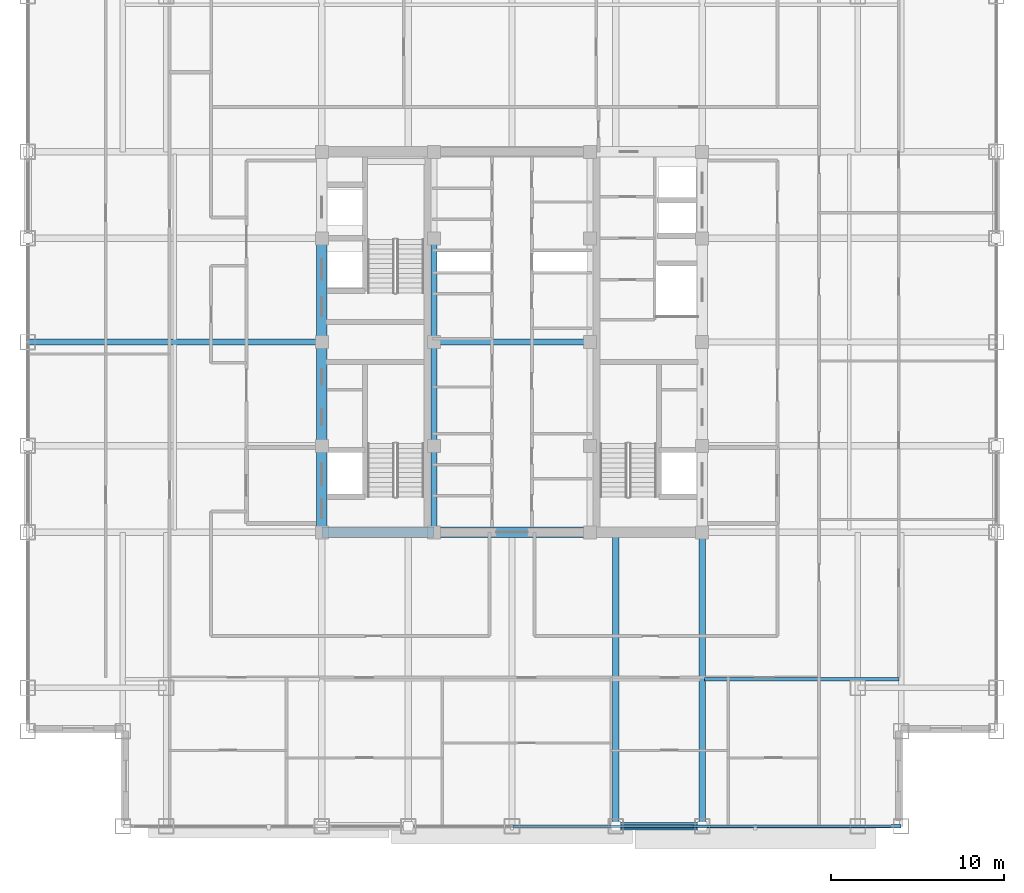
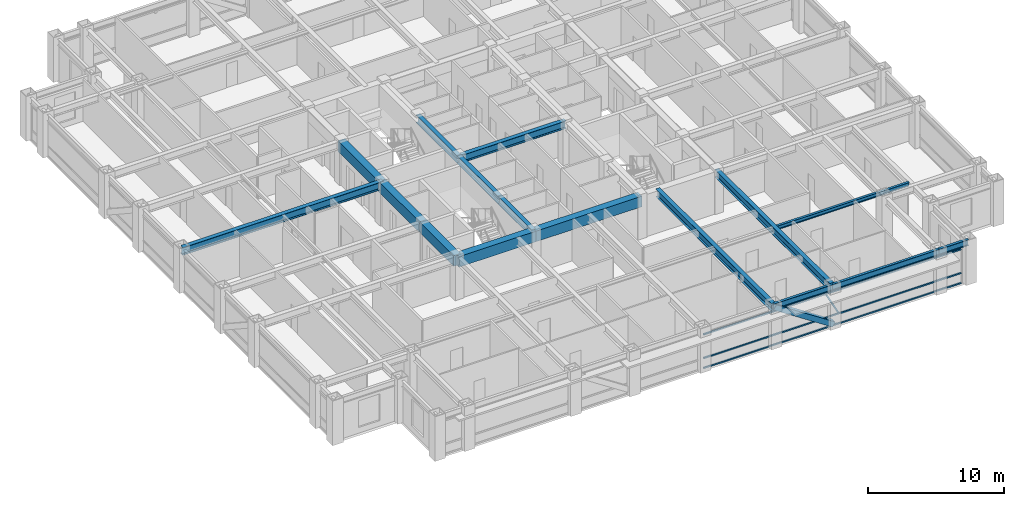
# One storey, part 7 of 29: 16 beams, 5 members, 1 element without a shape of its own.
"""IFC4 building model written with IfcOpenShell, lengths in metres."""

from ifc_helpers import new_model, si_unit, direction, frame, origin, origin_2d, place, context, subcontext, project, spatial, rectangle, hollow_rectangle, i_section, extrude, source, transform, mapped, material, material_profile, profile_set, type_object, element, aggregate, save


model = new_model("IFC4")

# Units and contexts
model_context = context("Model", 3, precision=1e-05, world=origin(), true_north=direction((0.0, 1.0)))
body_context = subcontext(model_context, "Body", "Model", "MODEL_VIEW")
ifc_project = project(units=[si_unit("LENGTHUNIT", "METRE"), si_unit("AREAUNIT", "SQUARE_METRE"), si_unit("VOLUMEUNIT", "CUBIC_METRE"), si_unit("PLANEANGLEUNIT", "RADIAN"), si_unit("MASSUNIT", "GRAM", prefix="KILO")], contexts=[model_context])

# Site, building, storey
site_placement = place(None, origin())
site = spatial("IfcSite", under=ifc_project, at=site_placement, CompositionType="ELEMENT")
building_placement = place(site_placement, origin())
building = spatial("IfcBuilding", under=site, at=building_placement, Name="Khorayat Bourse Tower", CompositionType="ELEMENT")
storey_placement = place(building_placement, frame((0.0, 0.0, 277.5)))
storey = spatial("IfcBuildingStorey", under=building, at=storey_placement, Name="L65", CompositionType="ELEMENT", Elevation=277.5)

# Beams
ifc_material_1 = material(Name="Steel ASTM A992 Grade 50", Category="steel")
ifc_material_profile_1 = material_profile(ifc_material_1, i_section(OverallWidth=0.35498046875, OverallDepth=0.695068359375, WebThickness=0.015380859375, FlangeThickness=0.02490234375, FilletRadius=0.01806640625, at=origin_2d()), Name="W690X217")
ifc_profile_set_1 = profile_set([ifc_material_profile_1], Name="Steel ASTM A992 Grade 50")
beam_type_1 = type_object("IfcBeamType", Name="BM-GIRD-690", PredefinedType="BEAM", material=ifc_profile_set_1)
shared_shape_1 = source(origin(), body_context, "Body", "SweptSolid", [
    extrude(i_section(OverallWidth=0.35498046875, OverallDepth=0.695068359375, WebThickness=0.015380859375, FlangeThickness=0.02490234375, FilletRadius=0.01806640625, at=origin_2d()), origin(), (0.0, 0.0, 1.0), 5.0),
])
beam_1_placement = place(storey_placement, frame((-4.5, -11.0, 3.4326171875), z_axis=(0.0, 1.0, 0.0), x_axis=(-1.0, 0.0, 0.0)))
element("IfcBeam", 1, at=beam_1_placement, inside=storey, type_object=beam_type_1, Name="L65 BM-GIRD-690 BM-L65-CRX-05", PredefinedType="BEAM", context=body_context, shape_type="MappedRepresentation", body=[
    mapped(shared_shape_1, transform((0.0, 0.0, 0.0), scale=1.0)),
])
shared_shape_2 = source(origin(), body_context, "Body", "SweptSolid", [
    extrude(i_section(OverallWidth=0.35498046875, OverallDepth=0.695068359375, WebThickness=0.015380859375, FlangeThickness=0.02490234375, FilletRadius=0.01806640625, at=origin_2d()), origin(), (0.0, 0.0, 1.0), 6.0),
])
for number, where, z_axis, x_axis, name in (
    (2, (-4.5, -6.0, 3.4326171875), (0.0, 1.0, 0.0), (-1.0, 0.0, 0.0), "L65 BM-GIRD-690 BM-L65-CRX-06"),
    (3, (-4.5, 0.0, 3.4326171875), (0.0, 1.0, 0.0), (-1.0, 0.0, 0.0), "L65 BM-GIRD-690 BM-L65-CRX-07"),
):
    element("IfcBeam", number, at=place(storey_placement, frame(where, z_axis=z_axis, x_axis=x_axis)), inside=storey, type_object=beam_type_1, Name=name, PredefinedType="BEAM", context=body_context, shape_type="MappedRepresentation", body=[
        mapped(shared_shape_2, transform((0.0, 0.0, 0.0), scale=1.0)),
    ])
shared_shape_3 = source(origin(), body_context, "Body", "SweptSolid", [
    extrude(i_section(OverallWidth=0.35498046875, OverallDepth=0.695068359375, WebThickness=0.015380859375, FlangeThickness=0.02490234375, FilletRadius=0.01806640625, at=origin_2d()), origin(), (0.0, 0.0, 1.0), 9.0),
])
beam_2_placement = place(storey_placement, frame((-4.5, 0.0, 3.4326171875), z_axis=(1.0, 0.0, 0.0), x_axis=(0.0, 1.0, 0.0)))
element("IfcBeam", 4, at=beam_2_placement, inside=storey, type_object=beam_type_1, Name="L65 BM-GIRD-690 BM-L65-CRY-23", PredefinedType="BEAM", context=body_context, shape_type="MappedRepresentation", body=[
    mapped(shared_shape_3, transform((0.0, 0.0, 0.0), scale=1.0)),
])
ifc_material_2 = material(Name="Concrete C60/75", Category="concrete")
ifc_material_profile_2 = material_profile(ifc_material_2, rectangle(XDim=0.60009765625, YDim=0.949951171875, at=origin_2d()), Name="RC 600x950")
ifc_profile_set_2 = profile_set([ifc_material_profile_2], Name="Concrete C60/75")
beam_type_2 = type_object("IfcBeamType", Name="BM-COUP-950", PredefinedType="BEAM", material=ifc_profile_set_2)
shared_shape_4 = source(origin(), body_context, "Body", "SweptSolid", [
    extrude(rectangle(XDim=0.60009765625, YDim=0.949951171875, at=origin_2d()), origin(), (0.0, 0.0, 1.0), 5.0),
])
beam_3_placement = place(storey_placement, frame((-11.0, -11.0, 3.304931640625), z_axis=(0.0, 1.0, 0.0), x_axis=(-1.0, 0.0, 0.0)))
element("IfcBeam", 5, at=beam_3_placement, inside=storey, type_object=beam_type_2, Name="L65 BM-COUP-950 BM-L65-CRX-01", PredefinedType="BEAM", context=body_context, shape_type="MappedRepresentation", body=[
    mapped(shared_shape_4, transform((0.0, 0.0, 0.0), scale=1.0)),
])
shared_shape_5 = source(origin(), body_context, "Body", "SweptSolid", [
    extrude(rectangle(XDim=0.60009765625, YDim=0.949951171875, at=origin_2d()), origin(), (0.0, 0.0, 1.0), 6.0),
])
for number, where, z_axis, x_axis, name in (
    (6, (-11.0, -6.0, 3.304931640625), (0.0, 1.0, 0.0), (-1.0, 0.0, 0.0), "L65 BM-COUP-950 BM-L65-CRX-02"),
    (7, (-11.0, 0.0, 3.304931640625), (0.0, 1.0, 0.0), (-1.0, 0.0, 0.0), "L65 BM-COUP-950 BM-L65-CRX-03"),
):
    element("IfcBeam", number, at=place(storey_placement, frame(where, z_axis=z_axis, x_axis=x_axis)), inside=storey, type_object=beam_type_2, Name=name, PredefinedType="BEAM", context=body_context, shape_type="MappedRepresentation", body=[
        mapped(shared_shape_5, transform((0.0, 0.0, 0.0), scale=1.0)),
    ])
shared_shape_6 = source(origin(), body_context, "Body", "SweptSolid", [
    extrude(rectangle(XDim=0.60009765625, YDim=0.949951171875, at=origin_2d()), origin(), (0.0, 0.0, 1.0), 6.5),
])
beam_4_placement = place(storey_placement, frame((-11.0, -11.0, 3.304931640625), z_axis=(1.0, 0.0, 0.0), x_axis=(0.0, 1.0, 0.0)))
element("IfcBeam", 8, at=beam_4_placement, inside=storey, type_object=beam_type_2, Name="L65 BM-COUP-950 BM-L65-CRY-17", PredefinedType="BEAM", context=body_context, shape_type="MappedRepresentation", body=[
    mapped(shared_shape_6, transform((0.0, 0.0, 0.0), scale=1.0)),
])
shared_shape_7 = source(origin(), body_context, "Body", "SweptSolid", [
    extrude(rectangle(XDim=0.60009765625, YDim=0.949951171875, at=origin_2d()), origin(), (0.0, 0.0, 1.0), 9.0),
])
beam_5_placement = place(storey_placement, frame((-4.5, -11.0, 3.304931640625), z_axis=(1.0, 0.0, 0.0), x_axis=(0.0, 1.0, 0.0)))
element("IfcBeam", 9, at=beam_5_placement, inside=storey, type_object=beam_type_2, Name="L65 BM-COUP-950 BM-L65-CRY-18", PredefinedType="BEAM", context=body_context, shape_type="MappedRepresentation", body=[
    mapped(shared_shape_7, transform((0.0, 0.0, 0.0), scale=1.0)),
])

# Member
ifc_material_3 = material(Name="Steel EN 10025-4 S460M", Category="steel")
ifc_material_profile_3 = material_profile(ifc_material_3, hollow_rectangle(XDim=0.449951171875, YDim=0.449951171875, WallThickness=0.02490234375, at=origin_2d()), Name="HSS 450x450x25")
ifc_profile_set_3 = profile_set([ifc_material_profile_3], Name="Steel EN 10025-4 S460M")
member_type_1 = type_object("IfcMemberType", Name="MBR-TUBE-450", PredefinedType="BRACE", material=ifc_profile_set_3)
shared_shape_8 = source(origin(), body_context, "Body", "SweptSolid", [
    extrude(hollow_rectangle(XDim=0.449951171875, YDim=0.449951171875, WallThickness=0.02490234375, at=origin_2d()), origin(), (0.0, 0.0, 1.0), 5.979736328125),
])
member_1_placement = place(storey_placement, frame((6.0, -28.0, 3.530029296875), z_axis=(0.836141536525, 0.0, -0.548513747227), x_axis=(0.0, 1.0, 0.0)))
element("IfcMember", 10, at=member_1_placement, inside=storey, type_object=member_type_1, Name="L65 Perimeter Tube Brace 02", PredefinedType="BRACE", context=body_context, shape_type="MappedRepresentation", body=[
    mapped(shared_shape_8, transform((0.0, 0.0, 0.0), scale=1.0)),
])

# Beams
shared_shape_9 = source(origin(), body_context, "Body", "SweptSolid", [
    extrude(i_section(OverallWidth=0.35498046875, OverallDepth=0.695068359375, WebThickness=0.015380859375, FlangeThickness=0.02490234375, FilletRadius=0.01806640625, at=origin_2d()), origin(), (0.0, 0.0, 1.0), 17.0),
])
for number, where, z_axis, x_axis, name in (
    (11, (6.0, -28.0, 3.4326171875), (0.0, 1.0, 0.0), (-1.0, 0.0, 0.0), "L65 BM-GIRD-690 BM-L65-RADY-071"),
    (12, (11.0, -28.0, 3.4326171875), (0.0, 1.0, 0.0), (-1.0, 0.0, 0.0), "L65 BM-GIRD-690 BM-L65-RADY-073"),
    (13, (-28.0, 0.0, 3.4326171875), (1.0, 0.0, 0.0), (0.0, 1.0, 0.0), "L65 BM-GIRD-690 BM-L65-RADX-079"),
):
    element("IfcBeam", number, at=place(storey_placement, frame(where, z_axis=z_axis, x_axis=x_axis)), inside=storey, type_object=beam_type_1, Name=name, PredefinedType="BEAM", context=body_context, shape_type="MappedRepresentation", body=[
        mapped(shared_shape_9, transform((0.0, 0.0, 0.0), scale=1.0)),
    ])
ifc_material_profile_4 = material_profile(ifc_material_1, i_section(OverallWidth=0.202880859375, OverallDepth=0.346923828125, WebThickness=0.0078125, FlangeThickness=0.013427734375, FilletRadius=0.010009765625, at=origin_2d()), Name="W360X64")
ifc_profile_set_4 = profile_set([ifc_material_profile_4], Name="Steel ASTM A992 Grade 50")
beam_type_3 = type_object("IfcBeamType", Name="BM-JOIST-360", PredefinedType="JOIST", material=ifc_profile_set_4)
shared_shape_10 = source(origin(), body_context, "Body", "SweptSolid", [
    extrude(i_section(OverallWidth=0.202880859375, OverallDepth=0.346923828125, WebThickness=0.0078125, FlangeThickness=0.013427734375, FilletRadius=0.010009765625, at=origin_2d()), origin(), (0.0, 0.0, 1.0), 11.240234375),
])
beam_6_placement = place(storey_placement, frame((11.1298828125, -19.5, 3.6064453125), z_axis=(1.0, 0.0, 0.0), x_axis=(0.0, 1.0, 0.0)))
element("IfcBeam", 14, at=beam_6_placement, inside=storey, type_object=beam_type_3, Name="L65 BM-JOIST-360 BM-L65-JSTX-098", PredefinedType="JOIST", context=body_context, shape_type="MappedRepresentation", body=[
    mapped(shared_shape_10, transform((0.0, 0.0, 0.0), scale=1.0)),
])
ifc_material_profile_5 = material_profile(ifc_material_1, i_section(OverallWidth=0.214111328125, OverallDepth=0.549072265625, WebThickness=0.0146484375, FlangeThickness=0.023681640625, FilletRadius=0.013916015625, at=origin_2d()), Name="W530X138")
ifc_profile_set_5 = profile_set([ifc_material_profile_5], Name="Steel ASTM A992 Grade 50")
beam_type_4 = type_object("IfcBeamType", Name="BM-SPAN-530", PredefinedType="SPANDREL", material=ifc_profile_set_5)
shared_shape_11 = source(origin(), body_context, "Body", "SweptSolid", [
    extrude(i_section(OverallWidth=0.214111328125, OverallDepth=0.549072265625, WebThickness=0.0146484375, FlangeThickness=0.023681640625, FilletRadius=0.013916015625, at=origin_2d()), origin(), (0.0, 0.0, 1.0), 2.5),
])
beam_7_placement = place(storey_placement, frame((20.0, -28.0, 3.505615234375), z_axis=(1.0, 0.0, 0.0), x_axis=(0.0, 1.0, 0.0)))
element("IfcBeam", 15, at=beam_7_placement, inside=storey, type_object=beam_type_4, Name="L65 BM-SPAN-530 BM-L65-SPN-031", PredefinedType="SPANDREL", context=body_context, shape_type="MappedRepresentation", body=[
    mapped(shared_shape_11, transform((0.0, 0.0, 0.0), scale=1.0)),
])
shared_shape_12 = source(origin(), body_context, "Body", "SweptSolid", [
    extrude(i_section(OverallWidth=0.214111328125, OverallDepth=0.549072265625, WebThickness=0.0146484375, FlangeThickness=0.023681640625, FilletRadius=0.013916015625, at=origin_2d()), origin(), (0.0, 0.0, 1.0), 9.0),
])
beam_8_placement = place(storey_placement, frame((11.0, -28.0, 3.505615234375), z_axis=(1.0, 0.0, 0.0), x_axis=(0.0, 1.0, 0.0)))
element("IfcBeam", 16, at=beam_8_placement, inside=storey, type_object=beam_type_4, Name="L65 BM-SPAN-530 BM-L65-SPN-030", PredefinedType="SPANDREL", context=body_context, shape_type="MappedRepresentation", body=[
    mapped(shared_shape_12, transform((0.0, 0.0, 0.0), scale=1.0)),
])
shared_shape_13 = source(origin(), body_context, "Body", "SweptSolid", [
    extrude(i_section(OverallWidth=0.214111328125, OverallDepth=0.549072265625, WebThickness=0.0146484375, FlangeThickness=0.023681640625, FilletRadius=0.013916015625, at=origin_2d()), origin(), (0.0, 0.0, 1.0), 5.0),
])
beam_9_placement = place(storey_placement, frame((6.0, -28.0, 3.505615234375), z_axis=(1.0, 0.0, 0.0), x_axis=(0.0, 1.0, 0.0)))
element("IfcBeam", 17, at=beam_9_placement, inside=storey, type_object=beam_type_4, Name="L65 BM-SPAN-530 BM-L65-SPN-029", PredefinedType="SPANDREL", context=body_context, shape_type="MappedRepresentation", body=[
    mapped(shared_shape_13, transform((0.0, 0.0, 0.0), scale=1.0)),
])

# Curtain wall, members
ifc_material_4 = material(Name="Aluminium EN AW-6063 T6", Category="aluminium")
curtain_wall_type = type_object("IfcCurtainWallType", Name="CW-SYS-04", PredefinedType="NOTDEFINED", material=ifc_material_4)
curtain_wall_placement = place(storey_placement, origin())
curtain_wall = element("IfcCurtainWall", 18, at=curtain_wall_placement, inside=storey, type_object=curtain_wall_type, Name="L65 Curtain Wall CW-L65-S1", PredefinedType="NOTDEFINED")
ifc_material_profile_6 = material_profile(ifc_material_4, hollow_rectangle(XDim=0.1201171875, YDim=0.1201171875, WallThickness=0.0048828125, at=origin_2d()), Name="ALU 120x120x5")
ifc_profile_set_6 = profile_set([ifc_material_profile_6], Name="Aluminium EN AW-6063 T6")
member_type_2 = type_object("IfcMemberType", Name="CWM-DIAG-120", PredefinedType="MULLION", material=ifc_profile_set_6)
shared_shape_14 = source(origin(), body_context, "Body", "SweptSolid", [
    extrude(hollow_rectangle(XDim=0.1201171875, YDim=0.1201171875, WallThickness=0.0048828125, at=origin_2d()), origin(), (0.0, 0.0, 1.0), 2.0791015625),
])
member_2_placement = place(storey_placement, frame((11.4541015625, -28.0, 1.090087890625), z_axis=(-0.465717394116, 0.0, 0.884933505309), x_axis=(0.0, -1.0, 0.0)))
member_2 = element("IfcMember", 19, at=member_2_placement, type_object=member_type_2, Name="CW-L65-S1 Faceted Diagonal Mullion 2", PredefinedType="MULLION", context=body_context, shape_type="MappedRepresentation", body=[
    mapped(shared_shape_14, transform((0.0, 0.0, 0.0), scale=1.0)),
])
ifc_material_profile_7 = material_profile(ifc_material_4, hollow_rectangle(XDim=0.1201171875, YDim=0.1201171875, WallThickness=0.0048828125, at=origin_2d()), Name="ALU 120x120x5")
ifc_profile_set_7 = profile_set([ifc_material_profile_7], Name="Aluminium EN AW-6063 T6")
member_type_3 = type_object("IfcMemberType", Name="CWT-HORZ-120", PredefinedType="USERDEFINED", material=ifc_profile_set_7)
shared_shape_15 = source(origin(), body_context, "Body", "SweptSolid", [
    extrude(hollow_rectangle(XDim=0.1201171875, YDim=0.1201171875, WallThickness=0.0048828125, at=origin_2d()), origin(), (0.0, 0.0, 1.0), 21.81982421875),
])
member_3_placement = place(storey_placement, frame((0.06005859375, -28.0, 0.06005859375), z_axis=(1.0, 0.0, 0.0), x_axis=(0.0, 1.0, 0.0)))
member_3 = element("IfcMember", 20, at=member_3_placement, type_object=member_type_3, Name="CW-L65-S1 Horizontal Transom 2-1", ObjectType="TRANSOM", PredefinedType="USERDEFINED", context=body_context, shape_type="MappedRepresentation", body=[
    mapped(shared_shape_15, transform((0.0, 0.0, 0.0), scale=1.0)),
])
member_4_placement = place(storey_placement, frame((0.06005859375, -28.0, 0.949951171875), z_axis=(1.0, 0.0, 0.0), x_axis=(0.0, 1.0, 0.0)))
member_4 = element("IfcMember", 21, at=member_4_placement, type_object=member_type_3, Name="CW-L65-S1 Horizontal Transom 2-2", ObjectType="TRANSOM", PredefinedType="USERDEFINED", context=body_context, shape_type="MappedRepresentation", body=[
    mapped(shared_shape_15, transform((0.0, 0.0, 0.0), scale=1.0)),
])
member_5_placement = place(storey_placement, frame((0.06005859375, -28.0, 3.070068359375), z_axis=(1.0, 0.0, 0.0), x_axis=(0.0, 1.0, 0.0)))
member_5 = element("IfcMember", 22, at=member_5_placement, type_object=member_type_3, Name="CW-L65-S1 Horizontal Transom 2-3", ObjectType="TRANSOM", PredefinedType="USERDEFINED", context=body_context, shape_type="MappedRepresentation", body=[
    mapped(shared_shape_15, transform((0.0, 0.0, 0.0), scale=1.0)),
])
aggregate(curtain_wall, [member_3, member_4, member_5, member_2])

save(model, "model.ifc")
